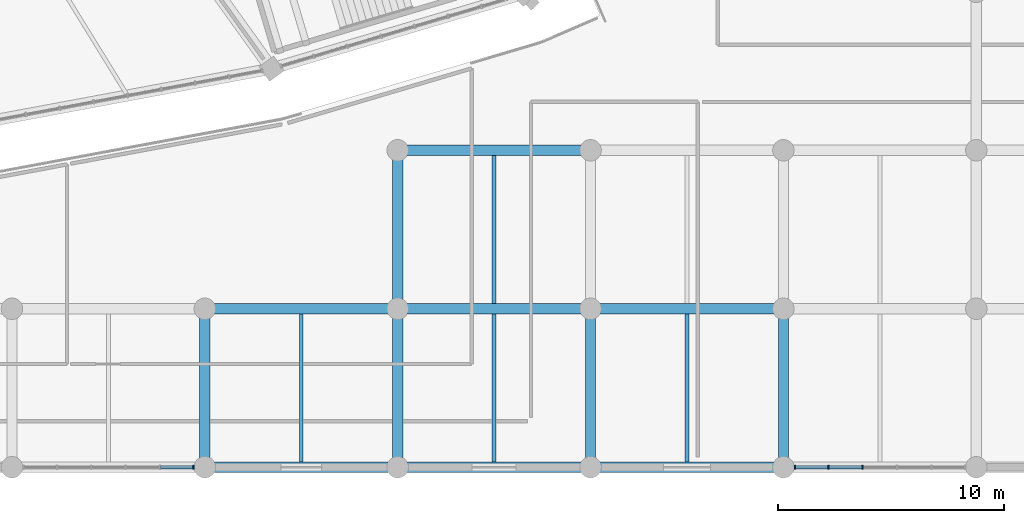
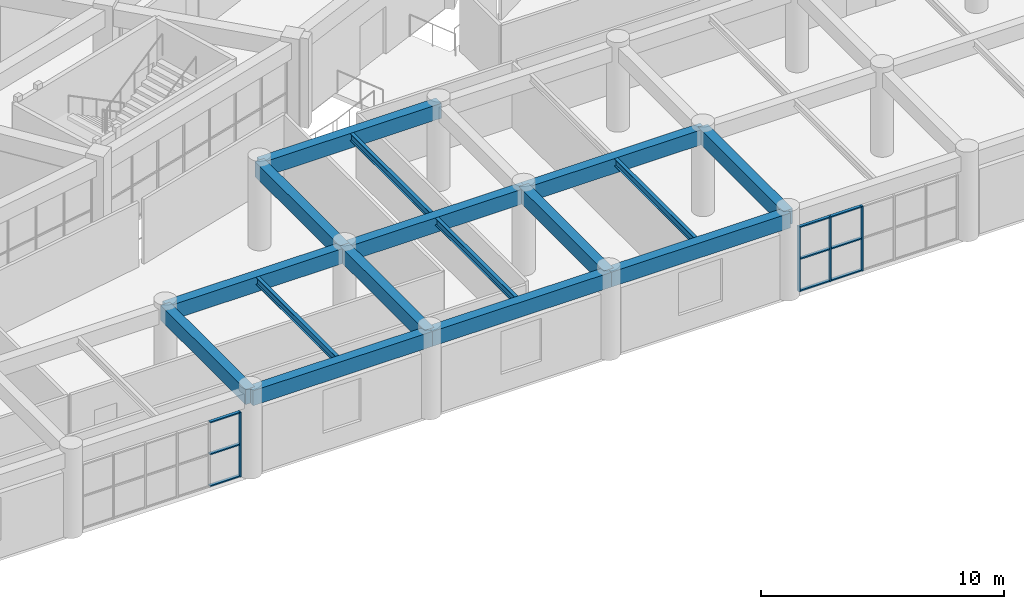
# One storey, part 36 of 145: 16 beams, 13 members, 2 elements without a shape of their own.
"""IFC4 building model written with IfcOpenShell, lengths in metres."""

from ifc_helpers import new_model, si_unit, direction, frame, origin, origin_2d, place, context, subcontext, project, spatial, rectangle, i_section, extrude, material, layer, layer_set, material_profile, profile_set, type_object, element, aggregate, save


model = new_model("IFC4")

# Units and contexts
model_context = context("Model", 3, precision=1e-05, world=origin(), true_north=direction((0.0, 1.0)))
body_context = subcontext(model_context, "Body", "Model", "MODEL_VIEW")
ifc_project = project(units=[si_unit("LENGTHUNIT", "METRE"), si_unit("AREAUNIT", "SQUARE_METRE"), si_unit("VOLUMEUNIT", "CUBIC_METRE"), si_unit("PLANEANGLEUNIT", "RADIAN"), si_unit("MASSUNIT", "GRAM", prefix="KILO")], contexts=[model_context])

# Site, building, storey
site_placement = place(None, origin())
site = spatial("IfcSite", under=ifc_project, at=site_placement, CompositionType="ELEMENT")
building_placement = place(site_placement, origin())
building = spatial("IfcBuilding", under=site, at=building_placement, Name="Mphavela Belvedere Stadium", CompositionType="ELEMENT")
storey_placement = place(building_placement, frame((0.0, 0.0, 10.199951171875)))
storey = spatial("IfcBuildingStorey", under=building, at=storey_placement, Name="L02", CompositionType="ELEMENT", Elevation=10.199951171875)

# Beams
ifc_material_1 = material(Name="Steel S355", Category="steel")
ifc_material_profile_1 = material_profile(ifc_material_1, i_section(OverallWidth=0.169921875, OverallDepth=0.360107421875, WebThickness=0.008056640625, FlangeThickness=0.0126953125, at=origin_2d()), Name="IPE 360")
ifc_profile_set_1 = profile_set([ifc_material_profile_1], Name="Steel S355")
beam_type_1 = type_object("IfcBeamType", Name="BM-JOIST-IPE360", PredefinedType="JOIST", material=ifc_profile_set_1)
for number, where, z_axis, x_axis, name in (
    (1, (166.111083984375, 0.22509765625, 4.06005859375), (0.0, 1.0, 0.0), (-1.0, 0.0, 0.0), "South Axial Triumphal Peristyle Portico secondary joist L02 20-1"),
    (2, (174.62939453125, 0.22509765625, 4.06005859375), (0.0, 1.0, 0.0), (-1.0, 0.0, 0.0), "South Axial Triumphal Peristyle Portico secondary joist L02 21-1"),
    (3, (174.62939453125, 7.22509765625, 4.06005859375), (0.0, 1.0, 0.0), (-1.0, 0.0, 0.0), "South Axial Triumphal Peristyle Portico secondary joist L02 21-2"),
    (4, (183.14794921875, 0.22509765625, 4.06005859375), (0.0, 1.0, 0.0), (-1.0, 0.0, 0.0), "South Axial Triumphal Peristyle Portico secondary joist L02 22-1"),
):
    element("IfcBeam", number, at=place(storey_placement, frame(where, z_axis=z_axis, x_axis=x_axis)), inside=storey, type_object=beam_type_1, Name=name, PredefinedType="JOIST", context=body_context, shape_type="SweptSolid", body=[
        extrude(i_section(OverallWidth=0.169921875, OverallDepth=0.360107421875, WebThickness=0.008056640625, FlangeThickness=0.0126953125, at=origin_2d()), origin(), (0.0, 0.0, 1.0), 6.5498046875),
    ])
ifc_material_2 = material(Name="Concrete C40/50", Category="concrete")
ifc_material_profile_2 = material_profile(ifc_material_2, rectangle(XDim=0.449951171875, YDim=0.75, at=origin_2d()), Name="RC 450x750")
ifc_profile_set_2 = profile_set([ifc_material_profile_2], Name="Concrete C40/50")
beam_type_2 = type_object("IfcBeamType", Name="BM-RC450x750", PredefinedType="BEAM", material=ifc_profile_set_2)
beam_1_placement = place(storey_placement, frame((161.85205078125, 0.0, 3.864990234375), z_axis=(1.0, 0.0, 0.0), x_axis=(0.0, 1.0, 0.0)))
element("IfcBeam", 5, at=beam_1_placement, inside=storey, type_object=beam_type_2, Name="South Axial Triumphal Peristyle Portico entablature beam X L02 20-1", PredefinedType="BEAM", context=body_context, shape_type="SweptSolid", body=[
    extrude(rectangle(XDim=0.449951171875, YDim=0.75, at=origin_2d()), origin(), (0.0, 0.0, 1.0), 8.51806640625),
])
beam_2_placement = place(storey_placement, frame((161.85205078125, 0.0, 3.864990234375), z_axis=(0.0, 1.0, 0.0), x_axis=(-1.0, 0.0, 0.0)))
element("IfcBeam", 6, at=beam_2_placement, inside=storey, type_object=beam_type_2, Name="South Axial Triumphal Peristyle Portico entablature beam Y L02 20-1", PredefinedType="BEAM", context=body_context, shape_type="SweptSolid", body=[
    extrude(rectangle(XDim=0.449951171875, YDim=0.75, at=origin_2d()), origin(), (0.0, 0.0, 1.0), 7.0),
])
beam_3_placement = place(storey_placement, frame((161.85205078125, 7.0, 3.864990234375), z_axis=(1.0, 0.0, 0.0), x_axis=(0.0, 1.0, 0.0)))
element("IfcBeam", 7, at=beam_3_placement, inside=storey, type_object=beam_type_2, Name="South Axial Triumphal Peristyle Portico entablature beam X L02 20-2", PredefinedType="BEAM", context=body_context, shape_type="SweptSolid", body=[
    extrude(rectangle(XDim=0.449951171875, YDim=0.75, at=origin_2d()), origin(), (0.0, 0.0, 1.0), 8.51806640625),
])
beam_4_placement = place(storey_placement, frame((170.3701171875, 0.0, 3.864990234375), z_axis=(1.0, 0.0, 0.0), x_axis=(0.0, 1.0, 0.0)))
element("IfcBeam", 8, at=beam_4_placement, inside=storey, type_object=beam_type_2, Name="South Axial Triumphal Peristyle Portico entablature beam X L02 21-1", PredefinedType="BEAM", context=body_context, shape_type="SweptSolid", body=[
    extrude(rectangle(XDim=0.449951171875, YDim=0.75, at=origin_2d()), origin(), (0.0, 0.0, 1.0), 8.518798828125),
])
beam_5_placement = place(storey_placement, frame((170.3701171875, 0.0, 3.864990234375), z_axis=(0.0, 1.0, 0.0), x_axis=(-1.0, 0.0, 0.0)))
element("IfcBeam", 9, at=beam_5_placement, inside=storey, type_object=beam_type_2, Name="South Axial Triumphal Peristyle Portico entablature beam Y L02 21-1", PredefinedType="BEAM", context=body_context, shape_type="SweptSolid", body=[
    extrude(rectangle(XDim=0.449951171875, YDim=0.75, at=origin_2d()), origin(), (0.0, 0.0, 1.0), 7.0),
])
beam_6_placement = place(storey_placement, frame((170.3701171875, 7.0, 3.864990234375), z_axis=(1.0, 0.0, 0.0), x_axis=(0.0, 1.0, 0.0)))
element("IfcBeam", 10, at=beam_6_placement, inside=storey, type_object=beam_type_2, Name="South Axial Triumphal Peristyle Portico entablature beam X L02 21-2", PredefinedType="BEAM", context=body_context, shape_type="SweptSolid", body=[
    extrude(rectangle(XDim=0.449951171875, YDim=0.75, at=origin_2d()), origin(), (0.0, 0.0, 1.0), 8.518798828125),
])
beam_7_placement = place(storey_placement, frame((170.3701171875, 7.0, 3.864990234375), z_axis=(0.0, 1.0, 0.0), x_axis=(-1.0, 0.0, 0.0)))
element("IfcBeam", 11, at=beam_7_placement, inside=storey, type_object=beam_type_2, Name="South Axial Triumphal Peristyle Portico entablature beam Y L02 21-2", PredefinedType="BEAM", context=body_context, shape_type="SweptSolid", body=[
    extrude(rectangle(XDim=0.449951171875, YDim=0.75, at=origin_2d()), origin(), (0.0, 0.0, 1.0), 7.0),
])
beam_8_placement = place(storey_placement, frame((170.3701171875, 14.0, 3.864990234375), z_axis=(1.0, 0.0, 0.0), x_axis=(0.0, 1.0, 0.0)))
element("IfcBeam", 12, at=beam_8_placement, inside=storey, type_object=beam_type_2, Name="South Axial Triumphal Peristyle Portico entablature beam X L02 21-3", PredefinedType="BEAM", context=body_context, shape_type="SweptSolid", body=[
    extrude(rectangle(XDim=0.449951171875, YDim=0.75, at=origin_2d()), origin(), (0.0, 0.0, 1.0), 8.518798828125),
])
beam_9_placement = place(storey_placement, frame((178.888916015625, 0.0, 3.864990234375), z_axis=(1.0, 0.0, 0.0), x_axis=(0.0, 1.0, 0.0)))
element("IfcBeam", 13, at=beam_9_placement, inside=storey, type_object=beam_type_2, Name="South Axial Triumphal Peristyle Portico entablature beam X L02 22-1", PredefinedType="BEAM", context=body_context, shape_type="SweptSolid", body=[
    extrude(rectangle(XDim=0.449951171875, YDim=0.75, at=origin_2d()), origin(), (0.0, 0.0, 1.0), 8.51806640625),
])
beam_10_placement = place(storey_placement, frame((178.888916015625, 0.0, 3.864990234375), z_axis=(0.0, 1.0, 0.0), x_axis=(-1.0, 0.0, 0.0)))
element("IfcBeam", 14, at=beam_10_placement, inside=storey, type_object=beam_type_2, Name="South Axial Triumphal Peristyle Portico entablature beam Y L02 22-1", PredefinedType="BEAM", context=body_context, shape_type="SweptSolid", body=[
    extrude(rectangle(XDim=0.449951171875, YDim=0.75, at=origin_2d()), origin(), (0.0, 0.0, 1.0), 7.0),
])
beam_11_placement = place(storey_placement, frame((178.888916015625, 7.0, 3.864990234375), z_axis=(1.0, 0.0, 0.0), x_axis=(0.0, 1.0, 0.0)))
element("IfcBeam", 15, at=beam_11_placement, inside=storey, type_object=beam_type_2, Name="South Axial Triumphal Peristyle Portico entablature beam X L02 22-2", PredefinedType="BEAM", context=body_context, shape_type="SweptSolid", body=[
    extrude(rectangle(XDim=0.449951171875, YDim=0.75, at=origin_2d()), origin(), (0.0, 0.0, 1.0), 8.51806640625),
])
beam_12_placement = place(storey_placement, frame((187.406982421875, 0.0, 3.864990234375), z_axis=(0.0, 1.0, 0.0), x_axis=(-1.0, 0.0, 0.0)))
element("IfcBeam", 16, at=beam_12_placement, inside=storey, type_object=beam_type_2, Name="South Axial Triumphal Peristyle Portico entablature beam Y L02 23-1", PredefinedType="BEAM", context=body_context, shape_type="SweptSolid", body=[
    extrude(rectangle(XDim=0.449951171875, YDim=0.75, at=origin_2d()), origin(), (0.0, 0.0, 1.0), 7.0),
])

# Curtain wall, member
ifc_material_3 = material(Name="Anodised bronze unitised curtain wall framing")
ifc_layer_1 = layer(ifc_material_3, 0.18994140625)
ifc_layer_set_1 = layer_set([ifc_layer_1], Name="Anodised bronze unitised curtain wall framing")
curtain_wall_type_1 = type_object("IfcCurtainWallType", Name="CW-UNIT-03", PredefinedType="USERDEFINED", material=ifc_layer_set_1)
curtain_wall_1_placement = place(storey_placement, origin())
curtain_wall_1 = element("IfcCurtainWall", 17, at=curtain_wall_1_placement, inside=storey, type_object=curtain_wall_type_1, Name="South Axial Triumphal Peristyle Portico gallery curtain wall L02-19", ObjectType="UNITISED CURTAIN WALL", PredefinedType="USERDEFINED")
ifc_material_4 = material(Name="Anodised bronze extruded aluminium", Category="aluminium")
ifc_material_profile_3 = material_profile(ifc_material_4, rectangle(XDim=0.179931640625, YDim=0.06494140625, at=origin_2d()), Name="CW-MUL 180x65")
ifc_profile_set_3 = profile_set([ifc_material_profile_3], Name="Anodised bronze extruded aluminium")
member_type_1 = type_object("IfcMemberType", Name="CWM-180x65", PredefinedType="MULLION", material=ifc_profile_set_3)
member_1_placement = place(storey_placement, frame((161.346435546875, 0.0, 0.0), z_axis=(0.0, 0.0, 1.0), x_axis=(0.0, -1.0, 0.0)))
member_1 = element("IfcMember", 18, at=member_1_placement, type_object=member_type_1, Name="CW-03 mullion 1", PredefinedType="MULLION", context=body_context, shape_type="SweptSolid", body=[
    extrude(rectangle(XDim=0.179931640625, YDim=0.06494140625, at=origin_2d()), origin(), (0.0, 0.0, 1.0), 3.260009765625),
])

# Curtain wall, members
ifc_material_5 = material(Name="Anodised bronze unitised curtain wall framing")
ifc_layer_2 = layer(ifc_material_5, 0.195068359375)
ifc_layer_set_2 = layer_set([ifc_layer_2], Name="Anodised bronze unitised curtain wall framing")
curtain_wall_type_2 = type_object("IfcCurtainWallType", Name="CW-UNIT-04", PredefinedType="USERDEFINED", material=ifc_layer_set_2)
curtain_wall_2_placement = place(storey_placement, origin())
curtain_wall_2 = element("IfcCurtainWall", 19, at=curtain_wall_2_placement, inside=storey, type_object=curtain_wall_type_2, Name="South Axial Triumphal Peristyle Portico gallery curtain wall L02-23", ObjectType="UNITISED CURTAIN WALL", PredefinedType="USERDEFINED")
member_2_placement = place(storey_placement, frame((190.9091796875, 0.0, 0.0), z_axis=(0.0, 0.0, 1.0), x_axis=(0.0, -1.0, 0.0)))
member_2 = element("IfcMember", 20, at=member_2_placement, type_object=member_type_1, Name="CW-04 mullion 4", PredefinedType="MULLION", context=body_context, shape_type="SweptSolid", body=[
    extrude(rectangle(XDim=0.179931640625, YDim=0.06494140625, at=origin_2d()), origin(), (0.0, 0.0, 1.0), 3.260009765625),
])
member_3_placement = place(storey_placement, frame((189.39453125, 0.0, 0.0), z_axis=(0.0, 0.0, 1.0), x_axis=(0.0, -1.0, 0.0)))
member_3 = element("IfcMember", 21, at=member_3_placement, type_object=member_type_1, Name="CW-04 mullion 5", PredefinedType="MULLION", context=body_context, shape_type="SweptSolid", body=[
    extrude(rectangle(XDim=0.179931640625, YDim=0.06494140625, at=origin_2d()), origin(), (0.0, 0.0, 1.0), 3.260009765625),
])
member_4_placement = place(storey_placement, frame((187.91259765625, 0.0, 0.0), z_axis=(0.0, 0.0, 1.0), x_axis=(0.0, -1.0, 0.0)))
member_4 = element("IfcMember", 22, at=member_4_placement, type_object=member_type_1, Name="CW-04 mullion 6", PredefinedType="MULLION", context=body_context, shape_type="SweptSolid", body=[
    extrude(rectangle(XDim=0.179931640625, YDim=0.06494140625, at=origin_2d()), origin(), (0.0, 0.0, 1.0), 3.260009765625),
])

# Member
ifc_material_6 = material(Name="Anodised bronze extruded aluminium", Category="aluminium")
ifc_material_profile_4 = material_profile(ifc_material_6, rectangle(XDim=0.139892578125, YDim=0.06005859375, at=origin_2d()), Name="CW-TRN 140x60")
ifc_profile_set_4 = profile_set([ifc_material_profile_4], Name="Anodised bronze extruded aluminium")
member_type_2 = type_object("IfcMemberType", Name="CWT-140x60", PredefinedType="USERDEFINED", material=ifc_profile_set_4)
member_5_placement = place(storey_placement, frame((161.31396484375, 0.0, 0.030029296875), z_axis=(-1.0, 0.0, 0.0), x_axis=(0.0, -1.0, 0.0)))
member_5 = element("IfcMember", 23, at=member_5_placement, type_object=member_type_2, Name="CW-03 transom 1.1", ObjectType="TRANSOM", PredefinedType="USERDEFINED", context=body_context, shape_type="SweptSolid", body=[
    extrude(rectangle(XDim=0.139892578125, YDim=0.06005859375, at=origin_2d()), origin(), (0.0, 0.0, 1.0), 1.4169921875),
])

member_6_placement = place(storey_placement, frame((161.31396484375, 0.0, 1.630126953125), z_axis=(-1.0, 0.0, 0.0), x_axis=(0.0, -1.0, 0.0)))
member_6 = element("IfcMember", 24, at=member_6_placement, type_object=member_type_2, Name="CW-03 transom 1.2", ObjectType="TRANSOM", PredefinedType="USERDEFINED", context=body_context, shape_type="SweptSolid", body=[
    extrude(rectangle(XDim=0.139892578125, YDim=0.06005859375, at=origin_2d()), origin(), (0.0, 0.0, 1.0), 1.4169921875),
])

member_7_placement = place(storey_placement, frame((161.31396484375, 0.0, 3.22998046875), z_axis=(-1.0, 0.0, 0.0), x_axis=(0.0, -1.0, 0.0)))
member_7 = element("IfcMember", 25, at=member_7_placement, type_object=member_type_2, Name="CW-03 transom 1.3", ObjectType="TRANSOM", PredefinedType="USERDEFINED", context=body_context, shape_type="SweptSolid", body=[
    extrude(rectangle(XDim=0.139892578125, YDim=0.06005859375, at=origin_2d()), origin(), (0.0, 0.0, 1.0), 1.4169921875),
])

aggregate(curtain_wall_1, [member_1, member_5, member_6, member_7])

member_8_placement = place(storey_placement, frame((190.876708984375, 0.0, 0.030029296875), z_axis=(-1.0, 0.0, 0.0), x_axis=(0.0, -1.0, 0.0)))
member_8 = element("IfcMember", 26, at=member_8_placement, type_object=member_type_2, Name="CW-04 transom 4.1", ObjectType="TRANSOM", PredefinedType="USERDEFINED", context=body_context, shape_type="SweptSolid", body=[
    extrude(rectangle(XDim=0.139892578125, YDim=0.06005859375, at=origin_2d()), origin(), (0.0, 0.0, 1.0), 1.44970703125),
])

member_9_placement = place(storey_placement, frame((190.876708984375, 0.0, 1.630126953125), z_axis=(-1.0, 0.0, 0.0), x_axis=(0.0, -1.0, 0.0)))
member_9 = element("IfcMember", 27, at=member_9_placement, type_object=member_type_2, Name="CW-04 transom 4.2", ObjectType="TRANSOM", PredefinedType="USERDEFINED", context=body_context, shape_type="SweptSolid", body=[
    extrude(rectangle(XDim=0.139892578125, YDim=0.06005859375, at=origin_2d()), origin(), (0.0, 0.0, 1.0), 1.44970703125),
])

member_10_placement = place(storey_placement, frame((190.876708984375, 0.0, 3.22998046875), z_axis=(-1.0, 0.0, 0.0), x_axis=(0.0, -1.0, 0.0)))
member_10 = element("IfcMember", 28, at=member_10_placement, type_object=member_type_2, Name="CW-04 transom 4.3", ObjectType="TRANSOM", PredefinedType="USERDEFINED", context=body_context, shape_type="SweptSolid", body=[
    extrude(rectangle(XDim=0.139892578125, YDim=0.06005859375, at=origin_2d()), origin(), (0.0, 0.0, 1.0), 1.44970703125),
])

member_11_placement = place(storey_placement, frame((189.362060546875, 0.0, 0.030029296875), z_axis=(-1.0, 0.0, 0.0), x_axis=(0.0, -1.0, 0.0)))
member_11 = element("IfcMember", 29, at=member_11_placement, type_object=member_type_2, Name="CW-04 transom 5.1", ObjectType="TRANSOM", PredefinedType="USERDEFINED", context=body_context, shape_type="SweptSolid", body=[
    extrude(rectangle(XDim=0.139892578125, YDim=0.06005859375, at=origin_2d()), origin(), (0.0, 0.0, 1.0), 1.4169921875),
])

member_12_placement = place(storey_placement, frame((189.362060546875, 0.0, 1.630126953125), z_axis=(-1.0, 0.0, 0.0), x_axis=(0.0, -1.0, 0.0)))
member_12 = element("IfcMember", 30, at=member_12_placement, type_object=member_type_2, Name="CW-04 transom 5.2", ObjectType="TRANSOM", PredefinedType="USERDEFINED", context=body_context, shape_type="SweptSolid", body=[
    extrude(rectangle(XDim=0.139892578125, YDim=0.06005859375, at=origin_2d()), origin(), (0.0, 0.0, 1.0), 1.4169921875),
])

member_13_placement = place(storey_placement, frame((189.362060546875, 0.0, 3.22998046875), z_axis=(-1.0, 0.0, 0.0), x_axis=(0.0, -1.0, 0.0)))
member_13 = element("IfcMember", 31, at=member_13_placement, type_object=member_type_2, Name="CW-04 transom 5.3", ObjectType="TRANSOM", PredefinedType="USERDEFINED", context=body_context, shape_type="SweptSolid", body=[
    extrude(rectangle(XDim=0.139892578125, YDim=0.06005859375, at=origin_2d()), origin(), (0.0, 0.0, 1.0), 1.4169921875),
])

aggregate(curtain_wall_2, [member_2, member_3, member_4, member_8, member_9, member_10, member_11, member_12, member_13])

save(model, "model.ifc")
